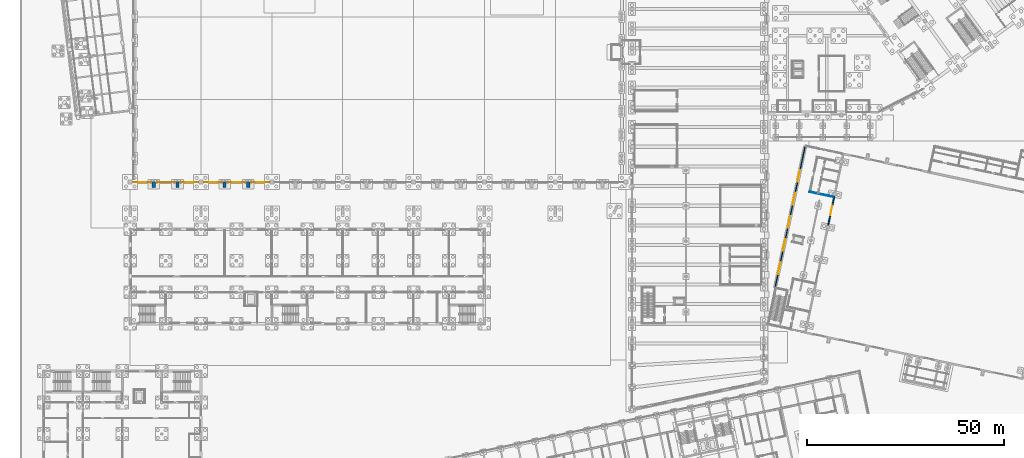
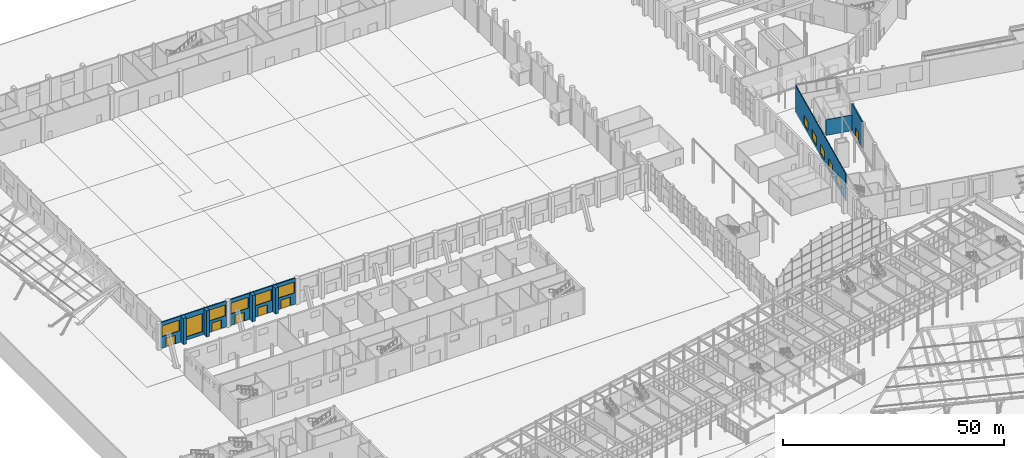
# One storey, part 176 of 239: 11 windows, 9 walls, 6 doors, 17 openings.
"""IFC4 building model written with IfcOpenShell, lengths in metres."""

from ifc_helpers import new_model, si_unit, direction, frame, frame_2d, origin, place, context, subcontext, project, spatial, rectangle, extrude, material, layer, layer_set, type_object, element, fill, save


model = new_model("IFC4")

# Units and contexts
model_context = context("Model", 3, precision=1e-05, world=origin(), true_north=direction((0.0, 1.0)))
body_context = subcontext(model_context, "Body", "Model", "MODEL_VIEW")
ifc_project = project(units=[si_unit("LENGTHUNIT", "METRE"), si_unit("AREAUNIT", "SQUARE_METRE"), si_unit("VOLUMEUNIT", "CUBIC_METRE"), si_unit("PLANEANGLEUNIT", "RADIAN"), si_unit("MASSUNIT", "GRAM", prefix="KILO")], contexts=[model_context])

# Site, building, storey
site_placement = place(None, origin())
site = spatial("IfcSite", under=ifc_project, at=site_placement, CompositionType="ELEMENT")
building_placement = place(site_placement, origin())
building = spatial("IfcBuilding", under=site, at=building_placement, Name="Okhra Congress Centre", CompositionType="ELEMENT")
storey_placement = place(building_placement, origin())
storey = spatial("IfcBuildingStorey", under=building, at=storey_placement, Name="L00", CompositionType="ELEMENT", Elevation=0.0)

# Walls
ifc_material_1 = material(Name="Concrete C35/45", Category="concrete")
ifc_layer_1 = layer(ifc_material_1, 0.800048828125)
ifc_layer_set_1 = layer_set([ifc_layer_1], Name="Buttress fin 800 REI 120 C35/45")
wall_type_1 = type_object("IfcWallType", Name="Buttress fin 800 REI 120 C35/45", PredefinedType="SOLIDWALL", material=ifc_layer_set_1)
for number, where, z_axis, x_axis, name in (
    (1, (34.0, 130.64990234375, 0.0), (0.0, 0.0, 1.0), (0.0, 1.0, 0.0), "EH.WALL.L00.8"),
    (2, (40.0, 130.64990234375, 0.0), (0.0, 0.0, 1.0), (0.0, 1.0, 0.0), "EH.WALL.L00.9"),
    (3, (52.0, 130.64990234375, 0.0), (0.0, 0.0, 1.0), (0.0, 1.0, 0.0), "EH.WALL.L00.10"),
    (4, (58.0, 130.64990234375, 0.0), (0.0, 0.0, 1.0), (0.0, 1.0, 0.0), "EH.WALL.L00.11"),
):
    element("IfcWall", number, at=place(storey_placement, frame(where, z_axis=z_axis, x_axis=x_axis)), inside=storey, type_object=wall_type_1, Name=name, PredefinedType="SOLIDWALL", context=body_context, shape_type="SweptSolid", body=[
        extrude(rectangle(XDim=1.210205078125, YDim=0.800048828125, at=frame_2d((0.60498046875, 0.0))), origin(), (0.0, 0.0, 1.0), 7.199951171875),
    ])

# Wall, openings, doors, windows
ifc_material_2 = material(Name="Insulated metal sandwich panel (mineral wool core)")
ifc_layer_2 = layer(ifc_material_2, 0.300048828125)
ifc_layer_set_2 = layer_set([ifc_layer_2], Name="Insulated wall panel 300")
wall_type_2 = type_object("IfcWallType", Name="Insulated wall panel 300", PredefinedType="SOLIDWALL", material=ifc_layer_set_2)
wall_1_placement = place(storey_placement, frame((28.5, 132.0, 0.0), z_axis=(0.0, 0.0, 1.0), x_axis=(1.0, 0.0, 0.0)))
wall_1 = element("IfcWall", 5, at=wall_1_placement, inside=storey, type_object=wall_type_2, Name="EH.WALL.L00.1", PredefinedType="SOLIDWALL", context=body_context, shape_type="SweptSolid", body=[
    extrude(rectangle(XDim=17.0, YDim=0.300048828125, at=frame_2d((8.5, 0.0))), origin(), (0.0, 0.0, 1.0), 7.199951171875),
])
opening_1_placement = place(wall_1_placement, frame((1.300048828125, 0.0, 0.0)))
opening_1 = element("IfcOpeningElement", 6, at=opening_1_placement, cuts=wall_1, Name="Opening L00-001", PredefinedType="OPENING", context=body_context, shape_type="SweptSolid", body=[
    extrude(rectangle(XDim=2.39990234375, YDim=2.39990234375, at=frame_2d((1.199951171875, 1.199951171875))), frame((0.0, 0.159912109375, 0.0), z_axis=(0.0, -1.0, 0.0), x_axis=(1.0, 0.0, 0.0)), (0.0, 0.0, 1.0), 0.320068359375),
])
opening_2_placement = place(wall_1_placement, frame((0.25, 0.0, 3.199951171875)))
opening_2 = element("IfcOpeningElement", 7, at=opening_2_placement, cuts=wall_1, Name="Opening WN1", PredefinedType="OPENING", context=body_context, shape_type="SweptSolid", body=[
    extrude(rectangle(XDim=4.5, YDim=3.0, at=frame_2d((2.25, 1.5))), frame((0.0, 0.159912109375, 0.0), z_axis=(0.0, -1.0, 0.0), x_axis=(1.0, 0.0, 0.0)), (0.0, 0.0, 1.0), 0.320068359375),
])
opening_3_placement = place(wall_1_placement, frame((6.25, 0.0, 0.89990234375)))
opening_3 = element("IfcOpeningElement", 8, at=opening_3_placement, cuts=wall_1, Name="Opening WN2", PredefinedType="OPENING", context=body_context, shape_type="SweptSolid", body=[
    extrude(rectangle(XDim=4.5, YDim=5.0, at=frame_2d((2.25, 2.5))), frame((0.0, 0.159912109375, 0.0), z_axis=(0.0, -1.0, 0.0), x_axis=(1.0, 0.0, 0.0)), (0.0, 0.0, 1.0), 0.320068359375),
])
opening_4_placement = place(wall_1_placement, frame((13.300048828125, 0.0, 0.0)))
opening_4 = element("IfcOpeningElement", 9, at=opening_4_placement, cuts=wall_1, Name="Opening L00-002", PredefinedType="OPENING", context=body_context, shape_type="SweptSolid", body=[
    extrude(rectangle(XDim=2.39990234375, YDim=2.39990234375, at=frame_2d((1.199951171875, 1.199951171875))), frame((0.0, 0.159912109375, 0.0), z_axis=(0.0, -1.0, 0.0), x_axis=(1.0, 0.0, 0.0)), (0.0, 0.0, 1.0), 0.320068359375),
])
opening_5_placement = place(wall_1_placement, frame((12.25, 0.0, 3.199951171875)))
opening_5 = element("IfcOpeningElement", 10, at=opening_5_placement, cuts=wall_1, Name="Opening WN1", PredefinedType="OPENING", context=body_context, shape_type="SweptSolid", body=[
    extrude(rectangle(XDim=4.5, YDim=3.0, at=frame_2d((2.25, 1.5))), frame((0.0, 0.159912109375, 0.0), z_axis=(0.0, -1.0, 0.0), x_axis=(1.0, 0.0, 0.0)), (0.0, 0.0, 1.0), 0.320068359375),
])
ifc_material_3 = material(Name="Timber door leaves in steel frame", Category="steel")
door_type = type_object("IfcDoorType", Name="Double swing door 2400x2400", OperationType="NOTDEFINED", PredefinedType="DOOR", material=ifc_material_3)
door_1_placement = place(opening_1_placement, frame((2.39990234375, 0.0, 0.0), z_axis=(0.0, 0.0, 1.0), x_axis=(-1.0, 0.0, 0.0)))
door_1 = element("IfcDoor", 11, at=door_1_placement, inside=storey, type_object=door_type, Name="Door L00-001", OperationType="DOUBLE_DOOR_SINGLE_SWING", OverallHeight=2.39990234375, OverallWidth=2.39990234375, PredefinedType="DOOR", context=body_context, shape_type="SweptSolid", body=[
    extrude(rectangle(XDim=2.39990234375, YDim=2.39990234375, at=frame_2d((1.199951171875, 1.199951171875))), frame((0.0, 0.02490234375, 0.0), z_axis=(0.0, -1.0, 0.0), x_axis=(1.0, 0.0, 0.0)), (0.0, 0.0, 1.0), 0.050048828125),
])
fill(opening_1, door_1)
door_2_placement = place(opening_4_placement, frame((2.39990234375, 0.0, 0.0), z_axis=(0.0, 0.0, 1.0), x_axis=(-1.0, 0.0, 0.0)))
door_2 = element("IfcDoor", 12, at=door_2_placement, inside=storey, type_object=door_type, Name="Door L00-002", OperationType="DOUBLE_DOOR_SINGLE_SWING", OverallHeight=2.39990234375, OverallWidth=2.39990234375, PredefinedType="DOOR", context=body_context, shape_type="SweptSolid", body=[
    extrude(rectangle(XDim=2.39990234375, YDim=2.39990234375, at=frame_2d((1.199951171875, 1.199951171875))), frame((0.0, 0.02490234375, 0.0), z_axis=(0.0, -1.0, 0.0), x_axis=(1.0, 0.0, 0.0)), (0.0, 0.0, 1.0), 0.050048828125),
])
fill(opening_4, door_2)
ifc_material_4 = material(Name="Thermally broken aluminium frame, triple glazing", Category="aluminium")
window_type_1 = type_object("IfcWindowType", Name="Fixed window 4500x3000", PartitioningType="SINGLE_PANEL", PredefinedType="WINDOW", material=ifc_material_4)
window_1_placement = place(opening_2_placement, origin())
window_1 = element("IfcWindow", 13, at=window_1_placement, inside=storey, type_object=window_type_1, Name="EH.WIN.L00.1", OverallHeight=3.0, OverallWidth=4.5, PartitioningType="SINGLE_PANEL", PredefinedType="WINDOW", context=body_context, shape_type="SweptSolid", body=[
    extrude(rectangle(XDim=4.5, YDim=3.0, at=frame_2d((2.25, 1.5))), frame((0.0, 0.030029296875, 0.0), z_axis=(0.0, -1.0, 0.0), x_axis=(1.0, 0.0, 0.0)), (0.0, 0.0, 1.0), 0.06005859375),
])
fill(opening_2, window_1)
window_2_placement = place(opening_5_placement, origin())
window_2 = element("IfcWindow", 14, at=window_2_placement, inside=storey, type_object=window_type_1, Name="EH.WIN.L00.3", OverallHeight=3.0, OverallWidth=4.5, PartitioningType="SINGLE_PANEL", PredefinedType="WINDOW", context=body_context, shape_type="SweptSolid", body=[
    extrude(rectangle(XDim=4.5, YDim=3.0, at=frame_2d((2.25, 1.5))), frame((0.0, 0.030029296875, 0.0), z_axis=(0.0, -1.0, 0.0), x_axis=(1.0, 0.0, 0.0)), (0.0, 0.0, 1.0), 0.06005859375),
])
fill(opening_5, window_2)
window_type_2 = type_object("IfcWindowType", Name="Fixed window 4500x5000", PartitioningType="SINGLE_PANEL", PredefinedType="WINDOW", material=ifc_material_4)
window_3_placement = place(opening_3_placement, origin())
window_3 = element("IfcWindow", 15, at=window_3_placement, inside=storey, type_object=window_type_2, Name="EH.WIN.L00.2", OverallHeight=5.0, OverallWidth=4.5, PartitioningType="SINGLE_PANEL", PredefinedType="WINDOW", context=body_context, shape_type="SweptSolid", body=[
    extrude(rectangle(XDim=4.5, YDim=5.0, at=frame_2d((2.25, 2.5))), frame((0.0, 0.030029296875, 0.0), z_axis=(0.0, -1.0, 0.0), x_axis=(1.0, 0.0, 0.0)), (0.0, 0.0, 1.0), 0.06005859375),
])
fill(opening_3, window_3)

wall_2_placement = place(storey_placement, frame((46.5, 132.0, 0.0), z_axis=(0.0, 0.0, 1.0), x_axis=(1.0, 0.0, 0.0)))
wall_2 = element("IfcWall", 16, at=wall_2_placement, inside=storey, type_object=wall_type_2, Name="EH.WALL.L00.2", PredefinedType="SOLIDWALL", context=body_context, shape_type="SweptSolid", body=[
    extrude(rectangle(XDim=17.0, YDim=0.300048828125, at=frame_2d((8.5, 0.0))), origin(), (0.0, 0.0, 1.0), 7.199951171875),
])
opening_6_placement = place(wall_2_placement, frame((1.300048828125, 0.0, 0.0)))
opening_6 = element("IfcOpeningElement", 17, at=opening_6_placement, cuts=wall_2, Name="Opening L00-003", PredefinedType="OPENING", context=body_context, shape_type="SweptSolid", body=[
    extrude(rectangle(XDim=2.39990234375, YDim=2.39990234375, at=frame_2d((1.199951171875, 1.199951171875))), frame((0.0, 0.159912109375, 0.0), z_axis=(0.0, -1.0, 0.0), x_axis=(1.0, 0.0, 0.0)), (0.0, 0.0, 1.0), 0.320068359375),
])
opening_7_placement = place(wall_2_placement, frame((0.25, 0.0, 3.199951171875)))
opening_7 = element("IfcOpeningElement", 18, at=opening_7_placement, cuts=wall_2, Name="Opening WN1", PredefinedType="OPENING", context=body_context, shape_type="SweptSolid", body=[
    extrude(rectangle(XDim=4.5, YDim=3.0, at=frame_2d((2.25, 1.5))), frame((0.0, 0.159912109375, 0.0), z_axis=(0.0, -1.0, 0.0), x_axis=(1.0, 0.0, 0.0)), (0.0, 0.0, 1.0), 0.320068359375),
])
opening_8_placement = place(wall_2_placement, frame((7.300048828125, 0.0, 0.0)))
opening_8 = element("IfcOpeningElement", 19, at=opening_8_placement, cuts=wall_2, Name="Opening L00-004", PredefinedType="OPENING", context=body_context, shape_type="SweptSolid", body=[
    extrude(rectangle(XDim=2.39990234375, YDim=2.39990234375, at=frame_2d((1.199951171875, 1.199951171875))), frame((0.0, 0.159912109375, 0.0), z_axis=(0.0, -1.0, 0.0), x_axis=(1.0, 0.0, 0.0)), (0.0, 0.0, 1.0), 0.320068359375),
])
opening_9_placement = place(wall_2_placement, frame((6.25, 0.0, 3.199951171875)))
opening_9 = element("IfcOpeningElement", 20, at=opening_9_placement, cuts=wall_2, Name="Opening WN1", PredefinedType="OPENING", context=body_context, shape_type="SweptSolid", body=[
    extrude(rectangle(XDim=4.5, YDim=3.0, at=frame_2d((2.25, 1.5))), frame((0.0, 0.159912109375, 0.0), z_axis=(0.0, -1.0, 0.0), x_axis=(1.0, 0.0, 0.0)), (0.0, 0.0, 1.0), 0.320068359375),
])
opening_10_placement = place(wall_2_placement, frame((13.300048828125, 0.0, 0.0)))
opening_10 = element("IfcOpeningElement", 21, at=opening_10_placement, cuts=wall_2, Name="Opening L00-005", PredefinedType="OPENING", context=body_context, shape_type="SweptSolid", body=[
    extrude(rectangle(XDim=2.39990234375, YDim=2.39990234375, at=frame_2d((1.199951171875, 1.199951171875))), frame((0.0, 0.159912109375, 0.0), z_axis=(0.0, -1.0, 0.0), x_axis=(1.0, 0.0, 0.0)), (0.0, 0.0, 1.0), 0.320068359375),
])
opening_11_placement = place(wall_2_placement, frame((12.25, 0.0, 3.199951171875)))
opening_11 = element("IfcOpeningElement", 22, at=opening_11_placement, cuts=wall_2, Name="Opening WN1", PredefinedType="OPENING", context=body_context, shape_type="SweptSolid", body=[
    extrude(rectangle(XDim=4.5, YDim=3.0, at=frame_2d((2.25, 1.5))), frame((0.0, 0.159912109375, 0.0), z_axis=(0.0, -1.0, 0.0), x_axis=(1.0, 0.0, 0.0)), (0.0, 0.0, 1.0), 0.320068359375),
])
door_3_placement = place(opening_6_placement, frame((2.39990234375, 0.0, 0.0), z_axis=(0.0, 0.0, 1.0), x_axis=(-1.0, 0.0, 0.0)))
door_3 = element("IfcDoor", 23, at=door_3_placement, inside=storey, type_object=door_type, Name="Door L00-003", OperationType="DOUBLE_DOOR_SINGLE_SWING", OverallHeight=2.39990234375, OverallWidth=2.39990234375, PredefinedType="DOOR", context=body_context, shape_type="SweptSolid", body=[
    extrude(rectangle(XDim=2.39990234375, YDim=2.39990234375, at=frame_2d((1.199951171875, 1.199951171875))), frame((0.0, 0.02490234375, 0.0), z_axis=(0.0, -1.0, 0.0), x_axis=(1.0, 0.0, 0.0)), (0.0, 0.0, 1.0), 0.050048828125),
])
fill(opening_6, door_3)
door_4_placement = place(opening_8_placement, frame((2.39990234375, 0.0, 0.0), z_axis=(0.0, 0.0, 1.0), x_axis=(-1.0, 0.0, 0.0)))
door_4 = element("IfcDoor", 24, at=door_4_placement, inside=storey, type_object=door_type, Name="Door L00-004", OperationType="DOUBLE_DOOR_SINGLE_SWING", OverallHeight=2.39990234375, OverallWidth=2.39990234375, PredefinedType="DOOR", context=body_context, shape_type="SweptSolid", body=[
    extrude(rectangle(XDim=2.39990234375, YDim=2.39990234375, at=frame_2d((1.199951171875, 1.199951171875))), frame((0.0, 0.02490234375, 0.0), z_axis=(0.0, -1.0, 0.0), x_axis=(1.0, 0.0, 0.0)), (0.0, 0.0, 1.0), 0.050048828125),
])
fill(opening_8, door_4)
door_5_placement = place(opening_10_placement, frame((2.39990234375, 0.0, 0.0), z_axis=(0.0, 0.0, 1.0), x_axis=(-1.0, 0.0, 0.0)))
door_5 = element("IfcDoor", 25, at=door_5_placement, inside=storey, type_object=door_type, Name="Door L00-005", OperationType="DOUBLE_DOOR_SINGLE_SWING", OverallHeight=2.39990234375, OverallWidth=2.39990234375, PredefinedType="DOOR", context=body_context, shape_type="SweptSolid", body=[
    extrude(rectangle(XDim=2.39990234375, YDim=2.39990234375, at=frame_2d((1.199951171875, 1.199951171875))), frame((0.0, 0.02490234375, 0.0), z_axis=(0.0, -1.0, 0.0), x_axis=(1.0, 0.0, 0.0)), (0.0, 0.0, 1.0), 0.050048828125),
])
fill(opening_10, door_5)
window_4_placement = place(opening_7_placement, origin())
window_4 = element("IfcWindow", 26, at=window_4_placement, inside=storey, type_object=window_type_1, Name="EH.WIN.L00.4", OverallHeight=3.0, OverallWidth=4.5, PartitioningType="SINGLE_PANEL", PredefinedType="WINDOW", context=body_context, shape_type="SweptSolid", body=[
    extrude(rectangle(XDim=4.5, YDim=3.0, at=frame_2d((2.25, 1.5))), frame((0.0, 0.030029296875, 0.0), z_axis=(0.0, -1.0, 0.0), x_axis=(1.0, 0.0, 0.0)), (0.0, 0.0, 1.0), 0.06005859375),
])
fill(opening_7, window_4)
window_5_placement = place(opening_9_placement, origin())
window_5 = element("IfcWindow", 27, at=window_5_placement, inside=storey, type_object=window_type_1, Name="EH.WIN.L00.5", OverallHeight=3.0, OverallWidth=4.5, PartitioningType="SINGLE_PANEL", PredefinedType="WINDOW", context=body_context, shape_type="SweptSolid", body=[
    extrude(rectangle(XDim=4.5, YDim=3.0, at=frame_2d((2.25, 1.5))), frame((0.0, 0.030029296875, 0.0), z_axis=(0.0, -1.0, 0.0), x_axis=(1.0, 0.0, 0.0)), (0.0, 0.0, 1.0), 0.06005859375),
])
fill(opening_9, window_5)
window_6_placement = place(opening_11_placement, origin())
window_6 = element("IfcWindow", 28, at=window_6_placement, inside=storey, type_object=window_type_1, Name="EH.WIN.L00.6", OverallHeight=3.0, OverallWidth=4.5, PartitioningType="SINGLE_PANEL", PredefinedType="WINDOW", context=body_context, shape_type="SweptSolid", body=[
    extrude(rectangle(XDim=4.5, YDim=3.0, at=frame_2d((2.25, 1.5))), frame((0.0, 0.030029296875, 0.0), z_axis=(0.0, -1.0, 0.0), x_axis=(1.0, 0.0, 0.0)), (0.0, 0.0, 1.0), 0.06005859375),
])
fill(opening_11, window_6)

# Wall, opening, door
ifc_material_5 = material(Name="Concrete C30/37", Category="concrete")
ifc_layer_3 = layer(ifc_material_5, 0.300048828125)
ifc_layer_set_3 = layer_set([ifc_layer_3], Name="RC partition wall 300 C30/37")
wall_type_3 = type_object("IfcWallType", Name="RC partition wall 300 C30/37", PredefinedType="SOLIDWALL", material=ifc_layer_set_3)
wall_3_placement = place(storey_placement, frame((205.334716796875, 121.00830078125, 0.0), z_axis=(0.0, 0.0, 1.0), x_axis=(0.207900468663, 0.978149986009, 0.0)))
wall_3 = element("IfcWall", 29, at=wall_3_placement, inside=storey, type_object=wall_type_3, Name="Hall and foyer partition wall", PredefinedType="SOLIDWALL", context=body_context, shape_type="SweptSolid", body=[
    extrude(rectangle(XDim=7.699951171875, YDim=0.300048828125, at=frame_2d((3.85009765625, 0.0))), origin(), (0.0, 0.0, 1.0), 7.199951171875),
])
opening_12_placement = place(wall_3_placement, frame((2.64990234375, 0.0, 0.0)))
opening_12 = element("IfcOpeningElement", 30, at=opening_12_placement, cuts=wall_3, Name="Opening L00-118", PredefinedType="OPENING", context=body_context, shape_type="SweptSolid", body=[
    extrude(rectangle(XDim=2.39990234375, YDim=2.39990234375, at=frame_2d((1.199951171875, 1.199951171875))), frame((0.0, 0.159912109375, 0.0), z_axis=(0.0, -1.0, 0.0), x_axis=(1.0, 0.0, 0.0)), (0.0, 0.0, 1.0), 0.320068359375),
])
door_6_placement = place(opening_12_placement, origin())
door_6 = element("IfcDoor", 31, at=door_6_placement, inside=storey, type_object=door_type, Name="Hall doors to the foyer", OperationType="DOUBLE_DOOR_SINGLE_SWING", OverallHeight=2.39990234375, OverallWidth=2.39990234375, PredefinedType="DOOR", context=body_context, shape_type="SweptSolid", body=[
    extrude(rectangle(XDim=2.39990234375, YDim=2.39990234375, at=frame_2d((1.199951171875, 1.199951171875))), frame((0.0, 0.02490234375, 0.0), z_axis=(0.0, -1.0, 0.0), x_axis=(1.0, 0.0, 0.0)), (0.0, 0.0, 1.0), 0.050048828125),
])
fill(opening_12, door_6)

# Wall
ifc_layer_4 = layer(ifc_material_5, 0.199951171875)
ifc_layer_set_4 = layer_set([ifc_layer_4], Name="RC wall 200 REI 120 C30/37")
wall_type_4 = type_object("IfcWallType", Name="RC wall 200 REI 120 C30/37", PredefinedType="SOLIDWALL", material=ifc_layer_set_4)
wall_4_placement = place(storey_placement, frame((200.6025390625, 129.5283203125, 0.0), z_axis=(0.0, 0.0, 1.0), x_axis=(0.978148542041, -0.207907262267, 0.0)))
element("IfcWall", 32, at=wall_4_placement, inside=storey, type_object=wall_type_4, Name="Toilet block south wall", PredefinedType="SOLIDWALL", context=body_context, shape_type="SweptSolid", body=[
    extrude(rectangle(XDim=6.2001953125, YDim=0.199951171875, at=frame_2d((3.10009765625, 0.0))), origin(), (0.0, 0.0, 1.0), 4.300048828125),
])

# Wall, openings, windows
wall_5_placement = place(storey_placement, frame((191.8564453125, 105.21533203125, -0.300048828125), z_axis=(0.0, 0.0, 1.0), x_axis=(0.207914134202, 0.978147081373, 0.0)))
wall_5 = element("IfcWall", 33, at=wall_5_placement, inside=storey, type_object=wall_type_4, Name="Foyer west wall L00", PredefinedType="SOLIDWALL", context=body_context, shape_type="SweptSolid", body=[
    extrude(rectangle(XDim=36.75, YDim=0.199951171875, at=frame_2d((18.375, 0.0))), origin(), (0.0, 0.0, 1.0), 7.5),
])
opening_13_placement = place(wall_5_placement, frame((3.5, 0.0, 1.0)))
opening_13 = element("IfcOpeningElement", 34, at=opening_13_placement, cuts=wall_5, Name="Opening WN13", PredefinedType="OPENING", context=body_context, shape_type="SweptSolid", body=[
    extrude(rectangle(XDim=3.0, YDim=2.39990234375, at=frame_2d((1.5, 1.199951171875))), frame((0.0, 0.10986328125, 0.0), z_axis=(0.0, -1.0, 0.0), x_axis=(1.0, 0.0, 0.0)), (0.0, 0.0, 1.0), 0.219970703125),
])
opening_14_placement = place(wall_5_placement, frame((9.5, 0.0, 1.0)))
opening_14 = element("IfcOpeningElement", 35, at=opening_14_placement, cuts=wall_5, Name="Opening WN13", PredefinedType="OPENING", context=body_context, shape_type="SweptSolid", body=[
    extrude(rectangle(XDim=3.0, YDim=2.39990234375, at=frame_2d((1.5, 1.199951171875))), frame((0.0, 0.10986328125, 0.0), z_axis=(0.0, -1.0, 0.0), x_axis=(1.0, 0.0, 0.0)), (0.0, 0.0, 1.0), 0.219970703125),
])
opening_15_placement = place(wall_5_placement, frame((15.5, 0.0, 1.0)))
opening_15 = element("IfcOpeningElement", 36, at=opening_15_placement, cuts=wall_5, Name="Opening WN13", PredefinedType="OPENING", context=body_context, shape_type="SweptSolid", body=[
    extrude(rectangle(XDim=3.0, YDim=2.39990234375, at=frame_2d((1.5, 1.199951171875))), frame((0.0, 0.10986328125, 0.0), z_axis=(0.0, -1.0, 0.0), x_axis=(1.0, 0.0, 0.0)), (0.0, 0.0, 1.0), 0.219970703125),
])
opening_16_placement = place(wall_5_placement, frame((21.5, 0.0, 1.0)))
opening_16 = element("IfcOpeningElement", 37, at=opening_16_placement, cuts=wall_5, Name="Opening WN13", PredefinedType="OPENING", context=body_context, shape_type="SweptSolid", body=[
    extrude(rectangle(XDim=3.0, YDim=2.39990234375, at=frame_2d((1.5, 1.199951171875))), frame((0.0, 0.10986328125, 0.0), z_axis=(0.0, -1.0, 0.0), x_axis=(1.0, 0.0, 0.0)), (0.0, 0.0, 1.0), 0.219970703125),
])
opening_17_placement = place(wall_5_placement, frame((27.5, 0.0, 1.0)))
opening_17 = element("IfcOpeningElement", 38, at=opening_17_placement, cuts=wall_5, Name="Opening WN13", PredefinedType="OPENING", context=body_context, shape_type="SweptSolid", body=[
    extrude(rectangle(XDim=3.0, YDim=2.39990234375, at=frame_2d((1.5, 1.199951171875))), frame((0.0, 0.10986328125, 0.0), z_axis=(0.0, -1.0, 0.0), x_axis=(1.0, 0.0, 0.0)), (0.0, 0.0, 1.0), 0.219970703125),
])
window_type_3 = type_object("IfcWindowType", Name="Fixed window 3000x2400", PartitioningType="SINGLE_PANEL", PredefinedType="WINDOW", material=ifc_material_4)
window_7_placement = place(opening_13_placement, origin())
window_7 = element("IfcWindow", 39, at=window_7_placement, inside=storey, type_object=window_type_3, Name="Foyer west window", OverallHeight=2.39990234375, OverallWidth=3.0, PartitioningType="SINGLE_PANEL", PredefinedType="WINDOW", context=body_context, shape_type="SweptSolid", body=[
    extrude(rectangle(XDim=3.0, YDim=2.39990234375, at=frame_2d((1.5, 1.199951171875))), frame((0.0, 0.030029296875, 0.0), z_axis=(0.0, -1.0, 0.0), x_axis=(1.0, 0.0, 0.0)), (0.0, 0.0, 1.0), 0.06005859375),
])
fill(opening_13, window_7)
window_8_placement = place(opening_14_placement, origin())
window_8 = element("IfcWindow", 40, at=window_8_placement, inside=storey, type_object=window_type_3, Name="Foyer west window", OverallHeight=2.39990234375, OverallWidth=3.0, PartitioningType="SINGLE_PANEL", PredefinedType="WINDOW", context=body_context, shape_type="SweptSolid", body=[
    extrude(rectangle(XDim=3.0, YDim=2.39990234375, at=frame_2d((1.5, 1.199951171875))), frame((0.0, 0.030029296875, 0.0), z_axis=(0.0, -1.0, 0.0), x_axis=(1.0, 0.0, 0.0)), (0.0, 0.0, 1.0), 0.06005859375),
])
fill(opening_14, window_8)
window_9_placement = place(opening_15_placement, origin())
window_9 = element("IfcWindow", 41, at=window_9_placement, inside=storey, type_object=window_type_3, Name="Foyer west window", OverallHeight=2.39990234375, OverallWidth=3.0, PartitioningType="SINGLE_PANEL", PredefinedType="WINDOW", context=body_context, shape_type="SweptSolid", body=[
    extrude(rectangle(XDim=3.0, YDim=2.39990234375, at=frame_2d((1.5, 1.199951171875))), frame((0.0, 0.030029296875, 0.0), z_axis=(0.0, -1.0, 0.0), x_axis=(1.0, 0.0, 0.0)), (0.0, 0.0, 1.0), 0.06005859375),
])
fill(opening_15, window_9)
window_10_placement = place(opening_16_placement, origin())
window_10 = element("IfcWindow", 42, at=window_10_placement, inside=storey, type_object=window_type_3, Name="Foyer west window", OverallHeight=2.39990234375, OverallWidth=3.0, PartitioningType="SINGLE_PANEL", PredefinedType="WINDOW", context=body_context, shape_type="SweptSolid", body=[
    extrude(rectangle(XDim=3.0, YDim=2.39990234375, at=frame_2d((1.5, 1.199951171875))), frame((0.0, 0.030029296875, 0.0), z_axis=(0.0, -1.0, 0.0), x_axis=(1.0, 0.0, 0.0)), (0.0, 0.0, 1.0), 0.06005859375),
])
fill(opening_16, window_10)
window_11_placement = place(opening_17_placement, origin())
window_11 = element("IfcWindow", 43, at=window_11_placement, inside=storey, type_object=window_type_3, Name="Foyer west window", OverallHeight=2.39990234375, OverallWidth=3.0, PartitioningType="SINGLE_PANEL", PredefinedType="WINDOW", context=body_context, shape_type="SweptSolid", body=[
    extrude(rectangle(XDim=3.0, YDim=2.39990234375, at=frame_2d((1.5, 1.199951171875))), frame((0.0, 0.030029296875, 0.0), z_axis=(0.0, -1.0, 0.0), x_axis=(1.0, 0.0, 0.0)), (0.0, 0.0, 1.0), 0.06005859375),
])
fill(opening_17, window_11)

save(model, "model.ifc")
